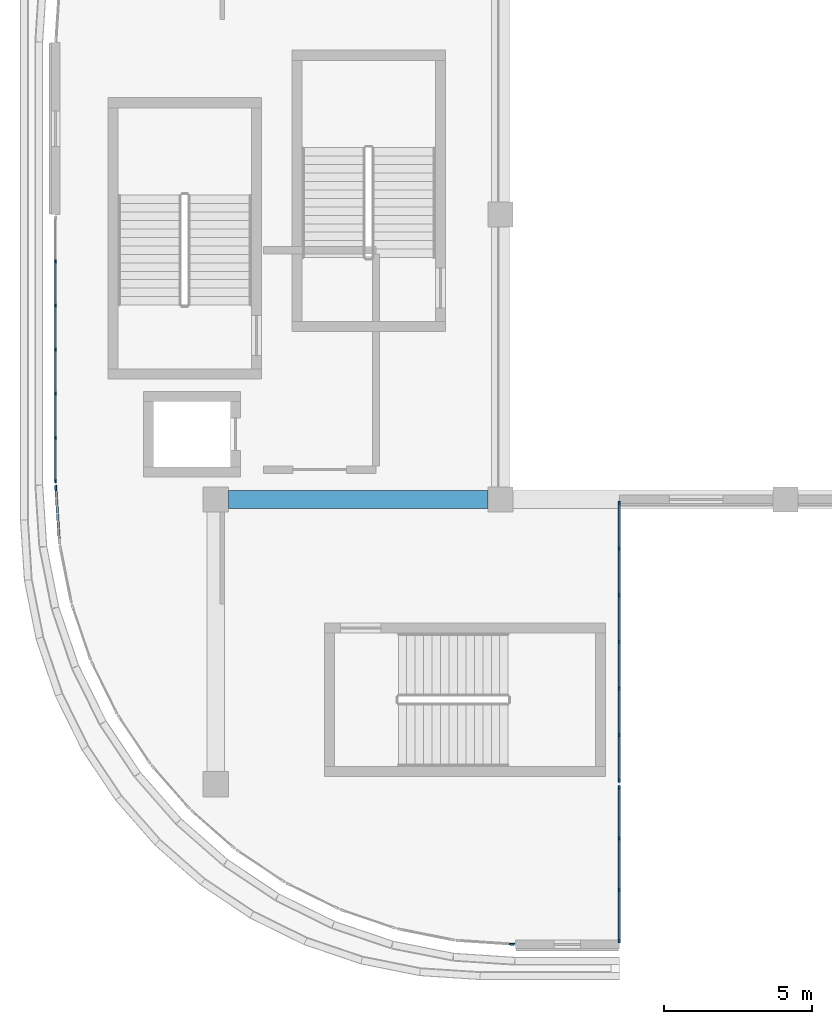
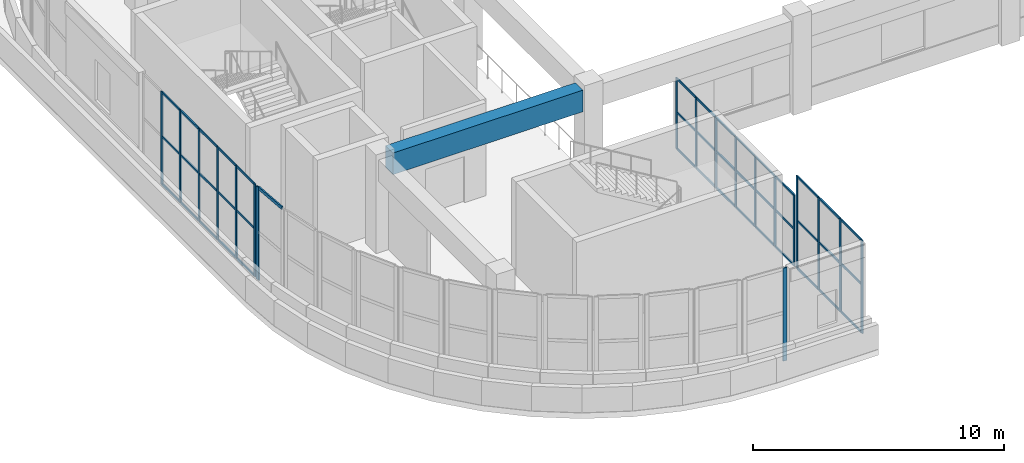
# One storey, part 3 of 67: 62 members, 1 beam, 5 elements without a shape of their own.
"""IFC4 building model written with IfcOpenShell, lengths in metres."""

import ifcopenshell
import ifcopenshell.guid

model = None  # the IFC model being written
_history = None  # IfcOwnerHistory: only IFC2X3 demands one
_inside = {}  # id of a spatial element -> (the spatial element, [elements in it])
_under = {}  # id of a project, library or spatial element -> (it, [spatial elements below it])
_declared = {}  # id of a project -> (the project, [libraries it declares])
_typed = {}  # id of a type object -> (the type object, [elements of that type])
_made_of = {}  # id of a material, layer set ... -> (it, [elements and type objects made of it])


def new_model(schema):
    """Start an empty IFC model of exactly this schema.

    Asked for "IFC4X3", IfcOpenShell would pick the latest addendum, in which some entities
    have other attributes; the version numbers below select the first issue.
    IFC2X3 requires an IfcOwnerHistory on every rooted entity: one is made here for all.
    """
    global model, _history
    if schema == "IFC4X3":
        model = ifcopenshell.file(schema_version=(4, 3, 0, 0))
    else:
        model = ifcopenshell.file(schema=schema)
    _inside.clear()
    _under.clear()
    _declared.clear()
    _typed.clear()
    _made_of.clear()
    _history = None
    if model.schema == "IFC2X3":
        org = make("IfcOrganization", Name="unknown")
        user = make(
            "IfcPersonAndOrganization",
            ThePerson=make("IfcPerson", FamilyName="unknown"),
            TheOrganization=org,
        )
        app = make(
            "IfcApplication",
            ApplicationDeveloper=org,
            Version="unknown",
            ApplicationFullName="unknown",
            ApplicationIdentifier="unknown",
        )
        _history = make(
            "IfcOwnerHistory",
            OwningUser=user,
            OwningApplication=app,
            ChangeAction="ADDED",
            CreationDate=0,
        )
    return model


def make(cls, **values):
    """One entity of the class cls with the attributes given. An attribute that is None is left unset."""
    return model.create_entity(
        cls, **{name: value for name, value in values.items() if value is not None}
    )


def rooted(cls, **values):
    """An entity with a GlobalId (a new one), such as an element, a storey or a relation."""
    return make(cls, GlobalId=ifcopenshell.guid.new(), OwnerHistory=_history, **values)


def si_unit(unit_type, name, prefix=None):
    """IfcSIUnit, for example si_unit("LENGTHUNIT", "METRE", prefix="MILLI")."""
    return make("IfcSIUnit", UnitType=unit_type, Prefix=prefix, Name=name)


def assignment(units):
    """IfcUnitAssignment: the units of a project."""
    return None if units is None else make("IfcUnitAssignment", Units=units)


def point(xyz):
    """IfcCartesianPoint."""
    return None if xyz is None else make("IfcCartesianPoint", Coordinates=xyz)


def direction(xyz):
    """IfcDirection."""
    return None if xyz is None else make("IfcDirection", DirectionRatios=xyz)


def frame(location, z_axis=None, x_axis=None):
    """IfcAxis2Placement3D, a coordinate frame: its origin and axes. An axis left out is left unset."""
    return make(
        "IfcAxis2Placement3D",
        Location=point(location),
        Axis=direction(z_axis),
        RefDirection=direction(x_axis),
    )


def frame_2d(location, x_axis=None):
    """IfcAxis2Placement2D, a coordinate frame in the plane: its origin and x axis."""
    return make(
        "IfcAxis2Placement2D", Location=point(location), RefDirection=direction(x_axis)
    )


def origin():
    """The frame at (0, 0, 0) with its axes left unset."""
    return frame((0.0, 0.0, 0.0))


def origin_2d():
    """The frame at (0, 0) in the plane with its x axis left unset."""
    return frame_2d((0.0, 0.0))


def place(relative_to, where):
    """IfcLocalPlacement: puts the frame where relative to a parent placement (None: the world)."""
    return make(
        "IfcLocalPlacement", PlacementRelTo=relative_to, RelativePlacement=where
    )


def context(
    kind, dimensions, precision=None, world=None, true_north=None, identifier=None
):
    """IfcGeometricRepresentationContext, for example the 3D "Model" context."""
    return make(
        "IfcGeometricRepresentationContext",
        ContextIdentifier=identifier,
        ContextType=kind,
        CoordinateSpaceDimension=dimensions,
        Precision=precision,
        WorldCoordinateSystem=world,
        TrueNorth=true_north,
    )


def subcontext(parent, identifier, kind, view, scale=None):
    """IfcGeometricRepresentationSubContext, for example "Body" below "Model"."""
    return make(
        "IfcGeometricRepresentationSubContext",
        ContextIdentifier=identifier,
        ContextType=kind,
        ParentContext=parent,
        TargetScale=scale,
        TargetView=view,
    )


def project(units=None, contexts=None):
    """IfcProject with its units and contexts."""
    return rooted(
        "IfcProject",
        Name="project",
        RepresentationContexts=contexts,
        UnitsInContext=assignment(units),
    )


def spatial(cls, under=None, at=None, **own):
    """A site, building, storey or space (cls), placed at a placement, below another one or the project."""
    s = rooted(cls, ObjectPlacement=at, **own)
    if under is not None:
        _under.setdefault(under.id(), (under, []))[1].append(s)
    return s


def profile(cls, at=None, kind="AREA", **sizes):
    """A parametric profile (cls). Its sizes go by their IFC names, for example OverallWidth=200.0."""
    return make(cls, ProfileType=kind, Position=at, **sizes)


def rectangle(**sizes):
    """IfcRectangleProfileDef."""
    return profile("IfcRectangleProfileDef", **sizes)


def extrude(swept, where, along, depth):
    """IfcExtrudedAreaSolid: the profile swept, set in the frame where, extruded along a direction by depth."""
    return make(
        "IfcExtrudedAreaSolid",
        SweptArea=swept,
        Position=where,
        ExtrudedDirection=direction(along),
        Depth=depth,
    )


def shape(context_of_items, identifier, shape_type, items):
    """IfcShapeRepresentation: the items that make up one representation, for example the "Body"."""
    return make(
        "IfcShapeRepresentation",
        ContextOfItems=context_of_items,
        RepresentationIdentifier=identifier,
        RepresentationType=shape_type,
        Items=items,
    )


def material(Name=None, Category=None):
    """IfcMaterial."""
    return make("IfcMaterial", Name=Name, Category=Category)


def layer(
    of_material, thickness, ventilated=None, Name=None, Category=None, Priority=None
):
    """IfcMaterialLayer: one layer of a wall or slab, of a material (None: an air gap)."""
    return make(
        "IfcMaterialLayer",
        Material=of_material,
        LayerThickness=thickness,
        IsVentilated=ventilated,
        Name=Name,
        Category=Category,
        Priority=Priority,
    )


def layer_set(layers, Name=None):
    """IfcMaterialLayerSet."""
    return make("IfcMaterialLayerSet", MaterialLayers=layers, LayerSetName=Name)


def material_profile(
    of_material, cross_section, Name=None, Category=None, Priority=None
):
    """IfcMaterialProfile: a cross section and its material."""
    return make(
        "IfcMaterialProfile",
        Name=Name,
        Material=of_material,
        Profile=cross_section,
        Priority=Priority,
        Category=Category,
    )


def profile_set(profiles, Name=None, composite=None):
    """IfcMaterialProfileSet."""
    return make(
        "IfcMaterialProfileSet",
        Name=Name,
        MaterialProfiles=profiles,
        CompositeProfile=composite,
    )


def made_of(thing, what):
    """Note that an element or type object is made of a material, layer set ...; save() writes the relation."""
    if what is not None:
        _made_of.setdefault(what.id(), (what, []))[1].append(thing)
    return thing


def type_object(cls, material=None, **own):
    """A type object (cls), such as IfcWallType, which elements share."""
    return made_of(rooted(cls, **own), material)


def element(
    cls,
    number,
    at=None,
    inside=None,
    cuts=None,
    type_object=None,
    material=None,
    context=None,
    identifier="Body",
    shape_type=None,
    held_by="IfcProductDefinitionShape",
    body=None,
    shapes=None,
    **own,
):
    """One element of the class cls, such as IfcWall. Its Tag is "e" and its number.

    at: its placement. inside: the storey or other place that contains it. cuts: it is an
    opening in that element (IfcRelVoidsElement). A single representation is given by context,
    identifier, shape_type and body (its items); several are given by shapes. held_by: the class
    of the entity that holds the representations. save() writes the other relations.
    """
    e = rooted(cls, Tag="e%d" % number, ObjectPlacement=at, **own)
    if body is not None:
        shapes = [shape(context, identifier, shape_type, body)]
    if shapes is not None:
        e.Representation = make(held_by, Representations=shapes)
    if inside is not None:
        _inside.setdefault(inside.id(), (inside, []))[1].append(e)
    if cuts is not None:
        rooted(
            "IfcRelVoidsElement", RelatingBuildingElement=cuts, RelatedOpeningElement=e
        )
    if type_object is not None:
        _typed.setdefault(type_object.id(), (type_object, []))[1].append(e)
    return made_of(e, material)


def aggregate(whole, parts):
    """IfcRelAggregates: a whole, such as a stair, and the parts it consists of."""
    return rooted("IfcRelAggregates", RelatingObject=whole, RelatedObjects=parts)


def save(model, path):
    """Write the relations noted so far, then the file.

    IfcRelAggregates (storeys below a building ...), IfcRelContainedInSpatialStructure (elements
    in a storey), IfcRelDefinesByType, IfcRelAssociatesMaterial and IfcRelDeclares: one each for
    every whole, place, type object, material and project.
    """
    for whole, parts in _under.values():
        aggregate(whole, parts)
    for where, things in _inside.values():
        rooted(
            "IfcRelContainedInSpatialStructure",
            RelatedElements=things,
            RelatingStructure=where,
        )
    for kind, things in _typed.values():
        rooted("IfcRelDefinesByType", RelatedObjects=things, RelatingType=kind)
    for what, things in _made_of.values():
        rooted("IfcRelAssociatesMaterial", RelatedObjects=things, RelatingMaterial=what)
    for by, libraries in _declared.values():
        rooted("IfcRelDeclares", RelatingContext=by, RelatedDefinitions=libraries)
    model.write(path)


model = new_model("IFC4")

# Units and contexts
model_context = context("Model", 3, precision=1e-05, world=origin(), true_north=direction((0.0, 1.0)))
body_context = subcontext(model_context, "Body", "Model", "MODEL_VIEW")
ifc_project = project(units=[si_unit("LENGTHUNIT", "METRE"), si_unit("AREAUNIT", "SQUARE_METRE"), si_unit("VOLUMEUNIT", "CUBIC_METRE"), si_unit("PLANEANGLEUNIT", "RADIAN"), si_unit("MASSUNIT", "GRAM", prefix="KILO")], contexts=[model_context])

# Site, building, storey
site_placement = place(None, origin())
site = spatial("IfcSite", under=ifc_project, at=site_placement, CompositionType="ELEMENT")
building_placement = place(site_placement, origin())
building = spatial("IfcBuilding", under=site, at=building_placement, Name="Cendralis Terraced Arcade", CompositionType="ELEMENT")
storey_placement = place(building_placement, frame((0.0, 0.0, 15.0)))
storey = spatial("IfcBuildingStorey", under=building, at=storey_placement, Name="L03", CompositionType="ELEMENT", Elevation=15.0)

# Beam
ifc_material_1 = material(Name="Concrete f'c 35 MPa", Category="concrete")
ifc_material_profile_1 = material_profile(ifc_material_1, rectangle(XDim=0.60009765625, YDim=1.050048828125, at=origin_2d()), Name="RC-BM-600x1050", Category="LoadBearing")
ifc_profile_set_1 = profile_set([ifc_material_profile_1], Name="Concrete f'c 35 MPa")
beam_type = type_object("IfcBeamType", Name="BM-600x1050", PredefinedType="JOIST", material=ifc_profile_set_1)
beam_placement = place(storey_placement, frame((10.02490234375, 19.199951171875, 3.9951171875), z_axis=(1.0, 0.0, 0.0), x_axis=(0.0, 1.0, 0.0)))
element("IfcBeam", 1, at=beam_placement, inside=storey, type_object=beam_type, Name="Reinforced Concrete Frame Beam BM-X-L04-C-2_3", PredefinedType="JOIST", context=body_context, shape_type="SweptSolid", body=[
    extrude(rectangle(XDim=0.60009765625, YDim=1.050048828125, at=origin_2d()), origin(), (0.0, 0.0, 1.0), 8.75),
])

# Curtain wall, members
ifc_material_2 = material(Name="Anodised aluminium EN AW-6063 T6", Category="aluminium")
ifc_layer_1 = layer(ifc_material_2, 0.1201171875, Name="CW-STORE-B")
ifc_layer_set_1 = layer_set([ifc_layer_1], Name="Anodised aluminium EN AW-6063 T6")
curtain_wall_type_1 = type_object("IfcCurtainWallType", Name="CW-STORE-B", PredefinedType="USERDEFINED", material=ifc_layer_set_1)
curtain_wall_1_placement = place(storey_placement, origin())
curtain_wall_1 = element("IfcCurtainWall", 2, at=curtain_wall_1_placement, inside=storey, type_object=curtain_wall_type_1, Name="Exterior Storefront Glazing CW-L03-0283", ObjectType="STOREFRONT GLAZING", PredefinedType="USERDEFINED")
ifc_material_profile_2 = material_profile(ifc_material_2, rectangle(XDim=0.054931640625, YDim=0.1201171875, at=origin_2d()), Name="ALU-MUL-55x120")
ifc_profile_set_2 = profile_set([ifc_material_profile_2], Name="Anodised aluminium EN AW-6063 T6")
member_type_1 = type_object("IfcMemberType", Name="CW-STORE-B-MUL", PredefinedType="MULLION", material=ifc_profile_set_2)
member_1_placement = place(storey_placement, frame((23.199951171875, 19.08251953125, 0.0), z_axis=(0.0, 0.0, 1.0), x_axis=(1.0, 0.0, 0.0)))
member_1 = element("IfcMember", 3, at=member_1_placement, type_object=member_type_1, Name="CW-S2 mullion 1", PredefinedType="MULLION", context=body_context, shape_type="SweptSolid", body=[
    extrude(rectangle(XDim=0.054931640625, YDim=0.1201171875, at=origin_2d()), origin(), (0.0, 0.0, 1.0), 3.4599609375),
])
member_2_placement = place(storey_placement, frame((23.199951171875, 17.5400390625, 0.0), z_axis=(0.0, 0.0, 1.0), x_axis=(1.0, 0.0, 0.0)))
member_2 = element("IfcMember", 4, at=member_2_placement, type_object=member_type_1, Name="CW-S2 mullion 2", PredefinedType="MULLION", context=body_context, shape_type="SweptSolid", body=[
    extrude(rectangle(XDim=0.054931640625, YDim=0.1201171875, at=origin_2d()), origin(), (0.0, 0.0, 1.0), 3.4599609375),
])
member_3_placement = place(storey_placement, frame((23.199951171875, 15.969970703125, 0.0), z_axis=(0.0, 0.0, 1.0), x_axis=(1.0, 0.0, 0.0)))
member_3 = element("IfcMember", 5, at=member_3_placement, type_object=member_type_1, Name="CW-S2 mullion 3", PredefinedType="MULLION", context=body_context, shape_type="SweptSolid", body=[
    extrude(rectangle(XDim=0.054931640625, YDim=0.1201171875, at=origin_2d()), origin(), (0.0, 0.0, 1.0), 3.4599609375),
])
member_4_placement = place(storey_placement, frame((23.199951171875, 14.39990234375, 0.0), z_axis=(0.0, 0.0, 1.0), x_axis=(1.0, 0.0, 0.0)))
member_4 = element("IfcMember", 6, at=member_4_placement, type_object=member_type_1, Name="CW-S2 mullion 4", PredefinedType="MULLION", context=body_context, shape_type="SweptSolid", body=[
    extrude(rectangle(XDim=0.054931640625, YDim=0.1201171875, at=origin_2d()), origin(), (0.0, 0.0, 1.0), 3.4599609375),
])
member_5_placement = place(storey_placement, frame((23.199951171875, 12.830078125, 0.0), z_axis=(0.0, 0.0, 1.0), x_axis=(1.0, 0.0, 0.0)))
member_5 = element("IfcMember", 7, at=member_5_placement, type_object=member_type_1, Name="CW-S2 mullion 5", PredefinedType="MULLION", context=body_context, shape_type="SweptSolid", body=[
    extrude(rectangle(XDim=0.054931640625, YDim=0.1201171875, at=origin_2d()), origin(), (0.0, 0.0, 1.0), 3.4599609375),
])
member_6_placement = place(storey_placement, frame((23.199951171875, 11.260009765625, 0.0), z_axis=(0.0, 0.0, 1.0), x_axis=(1.0, 0.0, 0.0)))
member_6 = element("IfcMember", 8, at=member_6_placement, type_object=member_type_1, Name="CW-S2 mullion 6", PredefinedType="MULLION", context=body_context, shape_type="SweptSolid", body=[
    extrude(rectangle(XDim=0.054931640625, YDim=0.1201171875, at=origin_2d()), origin(), (0.0, 0.0, 1.0), 3.4599609375),
])
member_7_placement = place(storey_placement, frame((23.199951171875, 9.717529296875, 0.0), z_axis=(0.0, 0.0, 1.0), x_axis=(1.0, 0.0, 0.0)))
member_7 = element("IfcMember", 9, at=member_7_placement, type_object=member_type_1, Name="CW-S2 mullion 7", PredefinedType="MULLION", context=body_context, shape_type="SweptSolid", body=[
    extrude(rectangle(XDim=0.054931640625, YDim=0.1201171875, at=origin_2d()), origin(), (0.0, 0.0, 1.0), 3.4599609375),
])

curtain_wall_2_placement = place(storey_placement, origin())
curtain_wall_2 = element("IfcCurtainWall", 10, at=curtain_wall_2_placement, inside=storey, type_object=curtain_wall_type_1, Name="Exterior Storefront Glazing CW-L03-0284", ObjectType="STOREFRONT GLAZING", PredefinedType="USERDEFINED")
member_8_placement = place(storey_placement, frame((23.199951171875, 9.482421875, 0.0), z_axis=(0.0, 0.0, 1.0), x_axis=(1.0, 0.0, 0.0)))
member_8 = element("IfcMember", 11, at=member_8_placement, type_object=member_type_1, Name="CW-S2 mullion 1", PredefinedType="MULLION", context=body_context, shape_type="SweptSolid", body=[
    extrude(rectangle(XDim=0.054931640625, YDim=0.1201171875, at=origin_2d()), origin(), (0.0, 0.0, 1.0), 4.52001953125),
])
member_9_placement = place(storey_placement, frame((23.199951171875, 7.77001953125, 0.0), z_axis=(0.0, 0.0, 1.0), x_axis=(1.0, 0.0, 0.0)))
member_9 = element("IfcMember", 12, at=member_9_placement, type_object=member_type_1, Name="CW-S2 mullion 2", PredefinedType="MULLION", context=body_context, shape_type="SweptSolid", body=[
    extrude(rectangle(XDim=0.054931640625, YDim=0.1201171875, at=origin_2d()), origin(), (0.0, 0.0, 1.0), 4.52001953125),
])
member_10_placement = place(storey_placement, frame((23.199951171875, 6.030029296875, 0.0), z_axis=(0.0, 0.0, 1.0), x_axis=(1.0, 0.0, 0.0)))
member_10 = element("IfcMember", 13, at=member_10_placement, type_object=member_type_1, Name="CW-S2 mullion 3", PredefinedType="MULLION", context=body_context, shape_type="SweptSolid", body=[
    extrude(rectangle(XDim=0.054931640625, YDim=0.1201171875, at=origin_2d()), origin(), (0.0, 0.0, 1.0), 4.52001953125),
])
member_11_placement = place(storey_placement, frame((23.199951171875, 4.3173828125, 0.0), z_axis=(0.0, 0.0, 1.0), x_axis=(1.0, 0.0, 0.0)))
member_11 = element("IfcMember", 14, at=member_11_placement, type_object=member_type_1, Name="CW-S2 mullion 4", PredefinedType="MULLION", context=body_context, shape_type="SweptSolid", body=[
    extrude(rectangle(XDim=0.054931640625, YDim=0.1201171875, at=origin_2d()), origin(), (0.0, 0.0, 1.0), 4.52001953125),
])

curtain_wall_3_placement = place(storey_placement, origin())
curtain_wall_3 = element("IfcCurtainWall", 15, at=curtain_wall_3_placement, inside=storey, type_object=curtain_wall_type_1, Name="Exterior Storefront Glazing CW-L03-0297", ObjectType="STOREFRONT GLAZING", PredefinedType="USERDEFINED")
member_12_placement = place(storey_placement, frame((4.199951171875, 19.8173828125, 0.0), z_axis=(0.0, 0.0, 1.0), x_axis=(-1.0, 0.0, 0.0)))
member_12 = element("IfcMember", 16, at=member_12_placement, type_object=member_type_1, Name="CW-S2 mullion 1", PredefinedType="MULLION", context=body_context, shape_type="SweptSolid", body=[
    extrude(rectangle(XDim=0.054931640625, YDim=0.1201171875, at=origin_2d()), origin(), (0.0, 0.0, 1.0), 4.52001953125),
])
member_13_placement = place(storey_placement, frame((4.199951171875, 21.276611328125, 0.0), z_axis=(0.0, 0.0, 1.0), x_axis=(-1.0, 0.0, 0.0)))
member_13 = element("IfcMember", 17, at=member_13_placement, type_object=member_type_1, Name="CW-S2 mullion 2", PredefinedType="MULLION", context=body_context, shape_type="SweptSolid", body=[
    extrude(rectangle(XDim=0.054931640625, YDim=0.1201171875, at=origin_2d()), origin(), (0.0, 0.0, 1.0), 4.52001953125),
])
member_14_placement = place(storey_placement, frame((4.199951171875, 22.763427734375, 0.0), z_axis=(0.0, 0.0, 1.0), x_axis=(-1.0, 0.0, 0.0)))
member_14 = element("IfcMember", 18, at=member_14_placement, type_object=member_type_1, Name="CW-S2 mullion 3", PredefinedType="MULLION", context=body_context, shape_type="SweptSolid", body=[
    extrude(rectangle(XDim=0.054931640625, YDim=0.1201171875, at=origin_2d()), origin(), (0.0, 0.0, 1.0), 4.52001953125),
])
member_15_placement = place(storey_placement, frame((4.199951171875, 24.25, 0.0), z_axis=(0.0, 0.0, 1.0), x_axis=(-1.0, 0.0, 0.0)))
member_15 = element("IfcMember", 19, at=member_15_placement, type_object=member_type_1, Name="CW-S2 mullion 4", PredefinedType="MULLION", context=body_context, shape_type="SweptSolid", body=[
    extrude(rectangle(XDim=0.054931640625, YDim=0.1201171875, at=origin_2d()), origin(), (0.0, 0.0, 1.0), 4.52001953125),
])
member_16_placement = place(storey_placement, frame((4.199951171875, 25.736572265625, 0.0), z_axis=(0.0, 0.0, 1.0), x_axis=(-1.0, 0.0, 0.0)))
member_16 = element("IfcMember", 20, at=member_16_placement, type_object=member_type_1, Name="CW-S2 mullion 5", PredefinedType="MULLION", context=body_context, shape_type="SweptSolid", body=[
    extrude(rectangle(XDim=0.054931640625, YDim=0.1201171875, at=origin_2d()), origin(), (0.0, 0.0, 1.0), 4.52001953125),
])
member_17_placement = place(storey_placement, frame((4.199951171875, 27.223388671875, 0.0), z_axis=(0.0, 0.0, 1.0), x_axis=(-1.0, 0.0, 0.0)))
member_17 = element("IfcMember", 21, at=member_17_placement, type_object=member_type_1, Name="CW-S2 mullion 6", PredefinedType="MULLION", context=body_context, shape_type="SweptSolid", body=[
    extrude(rectangle(XDim=0.054931640625, YDim=0.1201171875, at=origin_2d()), origin(), (0.0, 0.0, 1.0), 4.52001953125),
])

# Member
ifc_material_profile_3 = material_profile(ifc_material_2, rectangle(XDim=0.054931640625, YDim=0.10009765625, at=origin_2d()), Name="ALU-TRN-55x100")
ifc_profile_set_3 = profile_set([ifc_material_profile_3], Name="Anodised aluminium EN AW-6063 T6")
member_type_2 = type_object("IfcMemberType", Name="CW-STORE-B-TRN", PredefinedType="USERDEFINED", material=ifc_profile_set_3)
member_18_placement = place(storey_placement, frame((23.199951171875, 19.054931640625, 0.027587890625), z_axis=(0.0, -1.0, 0.0), x_axis=(1.0, 0.0, 0.0)))
member_18 = element("IfcMember", 22, at=member_18_placement, type_object=member_type_2, Name="CW-S2 transom 1.1", ObjectType="TRANSOM", PredefinedType="USERDEFINED", context=body_context, shape_type="SweptSolid", body=[
    extrude(rectangle(XDim=0.054931640625, YDim=0.10009765625, at=origin_2d()), origin(), (0.0, 0.0, 1.0), 1.487548828125),
])

member_19_placement = place(storey_placement, frame((23.199951171875, 19.054931640625, 1.79931640625), z_axis=(0.0, -1.0, 0.0), x_axis=(1.0, 0.0, 0.0)))
member_19 = element("IfcMember", 23, at=member_19_placement, type_object=member_type_2, Name="CW-S2 transom 1.2", ObjectType="TRANSOM", PredefinedType="USERDEFINED", context=body_context, shape_type="SweptSolid", body=[
    extrude(rectangle(XDim=0.054931640625, YDim=0.10009765625, at=origin_2d()), origin(), (0.0, 0.0, 1.0), 1.487548828125),
])

member_20_placement = place(storey_placement, frame((23.199951171875, 19.054931640625, 3.4326171875), z_axis=(0.0, -1.0, 0.0), x_axis=(1.0, 0.0, 0.0)))
member_20 = element("IfcMember", 24, at=member_20_placement, type_object=member_type_2, Name="CW-S2 transom 1.3", ObjectType="TRANSOM", PredefinedType="USERDEFINED", context=body_context, shape_type="SweptSolid", body=[
    extrude(rectangle(XDim=0.054931640625, YDim=0.10009765625, at=origin_2d()), origin(), (0.0, 0.0, 1.0), 1.487548828125),
])

member_21_placement = place(storey_placement, frame((23.199951171875, 17.512451171875, 0.027587890625), z_axis=(0.0, -1.0, 0.0), x_axis=(1.0, 0.0, 0.0)))
member_21 = element("IfcMember", 25, at=member_21_placement, type_object=member_type_2, Name="CW-S2 transom 2.1", ObjectType="TRANSOM", PredefinedType="USERDEFINED", context=body_context, shape_type="SweptSolid", body=[
    extrude(rectangle(XDim=0.054931640625, YDim=0.10009765625, at=origin_2d()), origin(), (0.0, 0.0, 1.0), 1.514892578125),
])

member_22_placement = place(storey_placement, frame((23.199951171875, 17.512451171875, 1.79931640625), z_axis=(0.0, -1.0, 0.0), x_axis=(1.0, 0.0, 0.0)))
member_22 = element("IfcMember", 26, at=member_22_placement, type_object=member_type_2, Name="CW-S2 transom 2.2", ObjectType="TRANSOM", PredefinedType="USERDEFINED", context=body_context, shape_type="SweptSolid", body=[
    extrude(rectangle(XDim=0.054931640625, YDim=0.10009765625, at=origin_2d()), origin(), (0.0, 0.0, 1.0), 1.514892578125),
])

member_23_placement = place(storey_placement, frame((23.199951171875, 17.512451171875, 3.4326171875), z_axis=(0.0, -1.0, 0.0), x_axis=(1.0, 0.0, 0.0)))
member_23 = element("IfcMember", 27, at=member_23_placement, type_object=member_type_2, Name="CW-S2 transom 2.3", ObjectType="TRANSOM", PredefinedType="USERDEFINED", context=body_context, shape_type="SweptSolid", body=[
    extrude(rectangle(XDim=0.054931640625, YDim=0.10009765625, at=origin_2d()), origin(), (0.0, 0.0, 1.0), 1.514892578125),
])

member_24_placement = place(storey_placement, frame((23.199951171875, 15.9423828125, 0.027587890625), z_axis=(0.0, -1.0, 0.0), x_axis=(1.0, 0.0, 0.0)))
member_24 = element("IfcMember", 28, at=member_24_placement, type_object=member_type_2, Name="CW-S2 transom 3.1", ObjectType="TRANSOM", PredefinedType="USERDEFINED", context=body_context, shape_type="SweptSolid", body=[
    extrude(rectangle(XDim=0.054931640625, YDim=0.10009765625, at=origin_2d()), origin(), (0.0, 0.0, 1.0), 1.514892578125),
])

member_25_placement = place(storey_placement, frame((23.199951171875, 15.9423828125, 1.79931640625), z_axis=(0.0, -1.0, 0.0), x_axis=(1.0, 0.0, 0.0)))
member_25 = element("IfcMember", 29, at=member_25_placement, type_object=member_type_2, Name="CW-S2 transom 3.2", ObjectType="TRANSOM", PredefinedType="USERDEFINED", context=body_context, shape_type="SweptSolid", body=[
    extrude(rectangle(XDim=0.054931640625, YDim=0.10009765625, at=origin_2d()), origin(), (0.0, 0.0, 1.0), 1.514892578125),
])

member_26_placement = place(storey_placement, frame((23.199951171875, 15.9423828125, 3.4326171875), z_axis=(0.0, -1.0, 0.0), x_axis=(1.0, 0.0, 0.0)))
member_26 = element("IfcMember", 30, at=member_26_placement, type_object=member_type_2, Name="CW-S2 transom 3.3", ObjectType="TRANSOM", PredefinedType="USERDEFINED", context=body_context, shape_type="SweptSolid", body=[
    extrude(rectangle(XDim=0.054931640625, YDim=0.10009765625, at=origin_2d()), origin(), (0.0, 0.0, 1.0), 1.514892578125),
])

member_27_placement = place(storey_placement, frame((23.199951171875, 14.37255859375, 0.027587890625), z_axis=(0.0, -1.0, 0.0), x_axis=(1.0, 0.0, 0.0)))
member_27 = element("IfcMember", 31, at=member_27_placement, type_object=member_type_2, Name="CW-S2 transom 4.1", ObjectType="TRANSOM", PredefinedType="USERDEFINED", context=body_context, shape_type="SweptSolid", body=[
    extrude(rectangle(XDim=0.054931640625, YDim=0.10009765625, at=origin_2d()), origin(), (0.0, 0.0, 1.0), 1.51513671875),
])

member_28_placement = place(storey_placement, frame((23.199951171875, 14.37255859375, 1.79931640625), z_axis=(0.0, -1.0, 0.0), x_axis=(1.0, 0.0, 0.0)))
member_28 = element("IfcMember", 32, at=member_28_placement, type_object=member_type_2, Name="CW-S2 transom 4.2", ObjectType="TRANSOM", PredefinedType="USERDEFINED", context=body_context, shape_type="SweptSolid", body=[
    extrude(rectangle(XDim=0.054931640625, YDim=0.10009765625, at=origin_2d()), origin(), (0.0, 0.0, 1.0), 1.51513671875),
])

member_29_placement = place(storey_placement, frame((23.199951171875, 14.37255859375, 3.4326171875), z_axis=(0.0, -1.0, 0.0), x_axis=(1.0, 0.0, 0.0)))
member_29 = element("IfcMember", 33, at=member_29_placement, type_object=member_type_2, Name="CW-S2 transom 4.3", ObjectType="TRANSOM", PredefinedType="USERDEFINED", context=body_context, shape_type="SweptSolid", body=[
    extrude(rectangle(XDim=0.054931640625, YDim=0.10009765625, at=origin_2d()), origin(), (0.0, 0.0, 1.0), 1.51513671875),
])

member_30_placement = place(storey_placement, frame((23.199951171875, 12.802490234375, 0.027587890625), z_axis=(0.0, -1.0, 0.0), x_axis=(1.0, 0.0, 0.0)))
member_30 = element("IfcMember", 34, at=member_30_placement, type_object=member_type_2, Name="CW-S2 transom 5.1", ObjectType="TRANSOM", PredefinedType="USERDEFINED", context=body_context, shape_type="SweptSolid", body=[
    extrude(rectangle(XDim=0.054931640625, YDim=0.10009765625, at=origin_2d()), origin(), (0.0, 0.0, 1.0), 1.514892578125),
])

member_31_placement = place(storey_placement, frame((23.199951171875, 12.802490234375, 1.79931640625), z_axis=(0.0, -1.0, 0.0), x_axis=(1.0, 0.0, 0.0)))
member_31 = element("IfcMember", 35, at=member_31_placement, type_object=member_type_2, Name="CW-S2 transom 5.2", ObjectType="TRANSOM", PredefinedType="USERDEFINED", context=body_context, shape_type="SweptSolid", body=[
    extrude(rectangle(XDim=0.054931640625, YDim=0.10009765625, at=origin_2d()), origin(), (0.0, 0.0, 1.0), 1.514892578125),
])

member_32_placement = place(storey_placement, frame((23.199951171875, 12.802490234375, 3.4326171875), z_axis=(0.0, -1.0, 0.0), x_axis=(1.0, 0.0, 0.0)))
member_32 = element("IfcMember", 36, at=member_32_placement, type_object=member_type_2, Name="CW-S2 transom 5.3", ObjectType="TRANSOM", PredefinedType="USERDEFINED", context=body_context, shape_type="SweptSolid", body=[
    extrude(rectangle(XDim=0.054931640625, YDim=0.10009765625, at=origin_2d()), origin(), (0.0, 0.0, 1.0), 1.514892578125),
])

member_33_placement = place(storey_placement, frame((23.199951171875, 11.232421875, 0.027587890625), z_axis=(0.0, -1.0, 0.0), x_axis=(1.0, 0.0, 0.0)))
member_33 = element("IfcMember", 37, at=member_33_placement, type_object=member_type_2, Name="CW-S2 transom 6.1", ObjectType="TRANSOM", PredefinedType="USERDEFINED", context=body_context, shape_type="SweptSolid", body=[
    extrude(rectangle(XDim=0.054931640625, YDim=0.10009765625, at=origin_2d()), origin(), (0.0, 0.0, 1.0), 1.4873046875),
])

member_34_placement = place(storey_placement, frame((23.199951171875, 11.232421875, 1.79931640625), z_axis=(0.0, -1.0, 0.0), x_axis=(1.0, 0.0, 0.0)))
member_34 = element("IfcMember", 38, at=member_34_placement, type_object=member_type_2, Name="CW-S2 transom 6.2", ObjectType="TRANSOM", PredefinedType="USERDEFINED", context=body_context, shape_type="SweptSolid", body=[
    extrude(rectangle(XDim=0.054931640625, YDim=0.10009765625, at=origin_2d()), origin(), (0.0, 0.0, 1.0), 1.4873046875),
])

member_35_placement = place(storey_placement, frame((23.199951171875, 11.232421875, 3.4326171875), z_axis=(0.0, -1.0, 0.0), x_axis=(1.0, 0.0, 0.0)))
member_35 = element("IfcMember", 39, at=member_35_placement, type_object=member_type_2, Name="CW-S2 transom 6.3", ObjectType="TRANSOM", PredefinedType="USERDEFINED", context=body_context, shape_type="SweptSolid", body=[
    extrude(rectangle(XDim=0.054931640625, YDim=0.10009765625, at=origin_2d()), origin(), (0.0, 0.0, 1.0), 1.4873046875),
])

aggregate(curtain_wall_1, [member_1, member_2, member_3, member_4, member_5, member_6, member_7, member_18, member_19, member_20, member_21, member_22, member_23, member_24, member_25, member_26, member_27, member_28, member_29, member_30, member_31, member_32, member_33, member_34, member_35])

member_36_placement = place(storey_placement, frame((23.199951171875, 9.455078125, 0.027587890625), z_axis=(0.0, -1.0, 0.0), x_axis=(1.0, 0.0, 0.0)))
member_36 = element("IfcMember", 40, at=member_36_placement, type_object=member_type_2, Name="CW-S2 transom 1.1", ObjectType="TRANSOM", PredefinedType="USERDEFINED", context=body_context, shape_type="SweptSolid", body=[
    extrude(rectangle(XDim=0.054931640625, YDim=0.10009765625, at=origin_2d()), origin(), (0.0, 0.0, 1.0), 1.657470703125),
])

member_37_placement = place(storey_placement, frame((23.199951171875, 9.455078125, 2.350341796875), z_axis=(0.0, -1.0, 0.0), x_axis=(1.0, 0.0, 0.0)))
member_37 = element("IfcMember", 41, at=member_37_placement, type_object=member_type_2, Name="CW-S2 transom 1.2", ObjectType="TRANSOM", PredefinedType="USERDEFINED", context=body_context, shape_type="SweptSolid", body=[
    extrude(rectangle(XDim=0.054931640625, YDim=0.10009765625, at=origin_2d()), origin(), (0.0, 0.0, 1.0), 1.657470703125),
])

member_38_placement = place(storey_placement, frame((23.199951171875, 9.455078125, 4.492431640625), z_axis=(0.0, -1.0, 0.0), x_axis=(1.0, 0.0, 0.0)))
member_38 = element("IfcMember", 42, at=member_38_placement, type_object=member_type_2, Name="CW-S2 transom 1.3", ObjectType="TRANSOM", PredefinedType="USERDEFINED", context=body_context, shape_type="SweptSolid", body=[
    extrude(rectangle(XDim=0.054931640625, YDim=0.10009765625, at=origin_2d()), origin(), (0.0, 0.0, 1.0), 1.657470703125),
])

member_39_placement = place(storey_placement, frame((23.199951171875, 7.742431640625, 0.027587890625), z_axis=(0.0, -1.0, 0.0), x_axis=(1.0, 0.0, 0.0)))
member_39 = element("IfcMember", 43, at=member_39_placement, type_object=member_type_2, Name="CW-S2 transom 2.1", ObjectType="TRANSOM", PredefinedType="USERDEFINED", context=body_context, shape_type="SweptSolid", body=[
    extrude(rectangle(XDim=0.054931640625, YDim=0.10009765625, at=origin_2d()), origin(), (0.0, 0.0, 1.0), 1.684814453125),
])

member_40_placement = place(storey_placement, frame((23.199951171875, 7.742431640625, 2.350341796875), z_axis=(0.0, -1.0, 0.0), x_axis=(1.0, 0.0, 0.0)))
member_40 = element("IfcMember", 44, at=member_40_placement, type_object=member_type_2, Name="CW-S2 transom 2.2", ObjectType="TRANSOM", PredefinedType="USERDEFINED", context=body_context, shape_type="SweptSolid", body=[
    extrude(rectangle(XDim=0.054931640625, YDim=0.10009765625, at=origin_2d()), origin(), (0.0, 0.0, 1.0), 1.684814453125),
])

member_41_placement = place(storey_placement, frame((23.199951171875, 7.742431640625, 4.492431640625), z_axis=(0.0, -1.0, 0.0), x_axis=(1.0, 0.0, 0.0)))
member_41 = element("IfcMember", 45, at=member_41_placement, type_object=member_type_2, Name="CW-S2 transom 2.3", ObjectType="TRANSOM", PredefinedType="USERDEFINED", context=body_context, shape_type="SweptSolid", body=[
    extrude(rectangle(XDim=0.054931640625, YDim=0.10009765625, at=origin_2d()), origin(), (0.0, 0.0, 1.0), 1.684814453125),
])

member_42_placement = place(storey_placement, frame((23.199951171875, 6.00244140625, 0.027587890625), z_axis=(0.0, -1.0, 0.0), x_axis=(1.0, 0.0, 0.0)))
member_42 = element("IfcMember", 46, at=member_42_placement, type_object=member_type_2, Name="CW-S2 transom 3.1", ObjectType="TRANSOM", PredefinedType="USERDEFINED", context=body_context, shape_type="SweptSolid", body=[
    extrude(rectangle(XDim=0.054931640625, YDim=0.10009765625, at=origin_2d()), origin(), (0.0, 0.0, 1.0), 1.657470703125),
])

member_43_placement = place(storey_placement, frame((23.199951171875, 6.00244140625, 2.350341796875), z_axis=(0.0, -1.0, 0.0), x_axis=(1.0, 0.0, 0.0)))
member_43 = element("IfcMember", 47, at=member_43_placement, type_object=member_type_2, Name="CW-S2 transom 3.2", ObjectType="TRANSOM", PredefinedType="USERDEFINED", context=body_context, shape_type="SweptSolid", body=[
    extrude(rectangle(XDim=0.054931640625, YDim=0.10009765625, at=origin_2d()), origin(), (0.0, 0.0, 1.0), 1.657470703125),
])

member_44_placement = place(storey_placement, frame((23.199951171875, 6.00244140625, 4.492431640625), z_axis=(0.0, -1.0, 0.0), x_axis=(1.0, 0.0, 0.0)))
member_44 = element("IfcMember", 48, at=member_44_placement, type_object=member_type_2, Name="CW-S2 transom 3.3", ObjectType="TRANSOM", PredefinedType="USERDEFINED", context=body_context, shape_type="SweptSolid", body=[
    extrude(rectangle(XDim=0.054931640625, YDim=0.10009765625, at=origin_2d()), origin(), (0.0, 0.0, 1.0), 1.657470703125),
])

aggregate(curtain_wall_2, [member_8, member_9, member_10, member_11, member_36, member_37, member_38, member_39, member_40, member_41, member_42, member_43, member_44])

member_45_placement = place(storey_placement, frame((4.199951171875, 19.844970703125, 0.027587890625), z_axis=(0.0, 1.0, 0.0), x_axis=(-1.0, 0.0, 0.0)))
member_45 = element("IfcMember", 49, at=member_45_placement, type_object=member_type_2, Name="CW-S2 transom 1.1", ObjectType="TRANSOM", PredefinedType="USERDEFINED", context=body_context, shape_type="SweptSolid", body=[
    extrude(rectangle(XDim=0.054931640625, YDim=0.10009765625, at=origin_2d()), origin(), (0.0, 0.0, 1.0), 1.404296875),
])

member_46_placement = place(storey_placement, frame((4.199951171875, 19.844970703125, 2.350341796875), z_axis=(0.0, 1.0, 0.0), x_axis=(-1.0, 0.0, 0.0)))
member_46 = element("IfcMember", 50, at=member_46_placement, type_object=member_type_2, Name="CW-S2 transom 1.2", ObjectType="TRANSOM", PredefinedType="USERDEFINED", context=body_context, shape_type="SweptSolid", body=[
    extrude(rectangle(XDim=0.054931640625, YDim=0.10009765625, at=origin_2d()), origin(), (0.0, 0.0, 1.0), 1.404296875),
])

member_47_placement = place(storey_placement, frame((4.199951171875, 19.844970703125, 4.492431640625), z_axis=(0.0, 1.0, 0.0), x_axis=(-1.0, 0.0, 0.0)))
member_47 = element("IfcMember", 51, at=member_47_placement, type_object=member_type_2, Name="CW-S2 transom 1.3", ObjectType="TRANSOM", PredefinedType="USERDEFINED", context=body_context, shape_type="SweptSolid", body=[
    extrude(rectangle(XDim=0.054931640625, YDim=0.10009765625, at=origin_2d()), origin(), (0.0, 0.0, 1.0), 1.404296875),
])

member_48_placement = place(storey_placement, frame((4.199951171875, 21.30419921875, 0.027587890625), z_axis=(0.0, 1.0, 0.0), x_axis=(-1.0, 0.0, 0.0)))
member_48 = element("IfcMember", 52, at=member_48_placement, type_object=member_type_2, Name="CW-S2 transom 2.1", ObjectType="TRANSOM", PredefinedType="USERDEFINED", context=body_context, shape_type="SweptSolid", body=[
    extrude(rectangle(XDim=0.054931640625, YDim=0.10009765625, at=origin_2d()), origin(), (0.0, 0.0, 1.0), 1.431640625),
])

member_49_placement = place(storey_placement, frame((4.199951171875, 21.30419921875, 2.350341796875), z_axis=(0.0, 1.0, 0.0), x_axis=(-1.0, 0.0, 0.0)))
member_49 = element("IfcMember", 53, at=member_49_placement, type_object=member_type_2, Name="CW-S2 transom 2.2", ObjectType="TRANSOM", PredefinedType="USERDEFINED", context=body_context, shape_type="SweptSolid", body=[
    extrude(rectangle(XDim=0.054931640625, YDim=0.10009765625, at=origin_2d()), origin(), (0.0, 0.0, 1.0), 1.431640625),
])

member_50_placement = place(storey_placement, frame((4.199951171875, 21.30419921875, 4.492431640625), z_axis=(0.0, 1.0, 0.0), x_axis=(-1.0, 0.0, 0.0)))
member_50 = element("IfcMember", 54, at=member_50_placement, type_object=member_type_2, Name="CW-S2 transom 2.3", ObjectType="TRANSOM", PredefinedType="USERDEFINED", context=body_context, shape_type="SweptSolid", body=[
    extrude(rectangle(XDim=0.054931640625, YDim=0.10009765625, at=origin_2d()), origin(), (0.0, 0.0, 1.0), 1.431640625),
])

member_51_placement = place(storey_placement, frame((4.199951171875, 22.790771484375, 0.027587890625), z_axis=(0.0, 1.0, 0.0), x_axis=(-1.0, 0.0, 0.0)))
member_51 = element("IfcMember", 55, at=member_51_placement, type_object=member_type_2, Name="CW-S2 transom 3.1", ObjectType="TRANSOM", PredefinedType="USERDEFINED", context=body_context, shape_type="SweptSolid", body=[
    extrude(rectangle(XDim=0.054931640625, YDim=0.10009765625, at=origin_2d()), origin(), (0.0, 0.0, 1.0), 1.431640625),
])

member_52_placement = place(storey_placement, frame((4.199951171875, 22.790771484375, 2.350341796875), z_axis=(0.0, 1.0, 0.0), x_axis=(-1.0, 0.0, 0.0)))
member_52 = element("IfcMember", 56, at=member_52_placement, type_object=member_type_2, Name="CW-S2 transom 3.2", ObjectType="TRANSOM", PredefinedType="USERDEFINED", context=body_context, shape_type="SweptSolid", body=[
    extrude(rectangle(XDim=0.054931640625, YDim=0.10009765625, at=origin_2d()), origin(), (0.0, 0.0, 1.0), 1.431640625),
])

member_53_placement = place(storey_placement, frame((4.199951171875, 22.790771484375, 4.492431640625), z_axis=(0.0, 1.0, 0.0), x_axis=(-1.0, 0.0, 0.0)))
member_53 = element("IfcMember", 57, at=member_53_placement, type_object=member_type_2, Name="CW-S2 transom 3.3", ObjectType="TRANSOM", PredefinedType="USERDEFINED", context=body_context, shape_type="SweptSolid", body=[
    extrude(rectangle(XDim=0.054931640625, YDim=0.10009765625, at=origin_2d()), origin(), (0.0, 0.0, 1.0), 1.431640625),
])

member_54_placement = place(storey_placement, frame((4.199951171875, 24.277587890625, 0.027587890625), z_axis=(0.0, 1.0, 0.0), x_axis=(-1.0, 0.0, 0.0)))
member_54 = element("IfcMember", 58, at=member_54_placement, type_object=member_type_2, Name="CW-S2 transom 4.1", ObjectType="TRANSOM", PredefinedType="USERDEFINED", context=body_context, shape_type="SweptSolid", body=[
    extrude(rectangle(XDim=0.054931640625, YDim=0.10009765625, at=origin_2d()), origin(), (0.0, 0.0, 1.0), 1.431640625),
])

member_55_placement = place(storey_placement, frame((4.199951171875, 24.277587890625, 2.350341796875), z_axis=(0.0, 1.0, 0.0), x_axis=(-1.0, 0.0, 0.0)))
member_55 = element("IfcMember", 59, at=member_55_placement, type_object=member_type_2, Name="CW-S2 transom 4.2", ObjectType="TRANSOM", PredefinedType="USERDEFINED", context=body_context, shape_type="SweptSolid", body=[
    extrude(rectangle(XDim=0.054931640625, YDim=0.10009765625, at=origin_2d()), origin(), (0.0, 0.0, 1.0), 1.431640625),
])

member_56_placement = place(storey_placement, frame((4.199951171875, 24.277587890625, 4.492431640625), z_axis=(0.0, 1.0, 0.0), x_axis=(-1.0, 0.0, 0.0)))
member_56 = element("IfcMember", 60, at=member_56_placement, type_object=member_type_2, Name="CW-S2 transom 4.3", ObjectType="TRANSOM", PredefinedType="USERDEFINED", context=body_context, shape_type="SweptSolid", body=[
    extrude(rectangle(XDim=0.054931640625, YDim=0.10009765625, at=origin_2d()), origin(), (0.0, 0.0, 1.0), 1.431640625),
])

member_57_placement = place(storey_placement, frame((4.199951171875, 25.76416015625, 0.027587890625), z_axis=(0.0, 1.0, 0.0), x_axis=(-1.0, 0.0, 0.0)))
member_57 = element("IfcMember", 61, at=member_57_placement, type_object=member_type_2, Name="CW-S2 transom 5.1", ObjectType="TRANSOM", PredefinedType="USERDEFINED", context=body_context, shape_type="SweptSolid", body=[
    extrude(rectangle(XDim=0.054931640625, YDim=0.10009765625, at=origin_2d()), origin(), (0.0, 0.0, 1.0), 1.431640625),
])

member_58_placement = place(storey_placement, frame((4.199951171875, 25.76416015625, 2.350341796875), z_axis=(0.0, 1.0, 0.0), x_axis=(-1.0, 0.0, 0.0)))
member_58 = element("IfcMember", 62, at=member_58_placement, type_object=member_type_2, Name="CW-S2 transom 5.2", ObjectType="TRANSOM", PredefinedType="USERDEFINED", context=body_context, shape_type="SweptSolid", body=[
    extrude(rectangle(XDim=0.054931640625, YDim=0.10009765625, at=origin_2d()), origin(), (0.0, 0.0, 1.0), 1.431640625),
])

member_59_placement = place(storey_placement, frame((4.199951171875, 25.76416015625, 4.492431640625), z_axis=(0.0, 1.0, 0.0), x_axis=(-1.0, 0.0, 0.0)))
member_59 = element("IfcMember", 63, at=member_59_placement, type_object=member_type_2, Name="CW-S2 transom 5.3", ObjectType="TRANSOM", PredefinedType="USERDEFINED", context=body_context, shape_type="SweptSolid", body=[
    extrude(rectangle(XDim=0.054931640625, YDim=0.10009765625, at=origin_2d()), origin(), (0.0, 0.0, 1.0), 1.431640625),
])

aggregate(curtain_wall_3, [member_12, member_13, member_14, member_15, member_16, member_17, member_45, member_46, member_47, member_48, member_49, member_50, member_51, member_52, member_53, member_54, member_55, member_56, member_57, member_58, member_59])

# Curtain wall, member
ifc_layer_2 = layer(ifc_material_2, 0.179931640625, Name="CW-UNIT-A")
ifc_layer_set_2 = layer_set([ifc_layer_2], Name="Anodised aluminium EN AW-6063 T6")
curtain_wall_type_2 = type_object("IfcCurtainWallType", Name="CW-UNIT-A", PredefinedType="USERDEFINED", material=ifc_layer_set_2)
curtain_wall_4_placement = place(storey_placement, origin())
curtain_wall_4 = element("IfcCurtainWall", 64, at=curtain_wall_4_placement, inside=storey, type_object=curtain_wall_type_2, Name="Exterior Unitised Facade CW-L03-0285", ObjectType="UNITISED FACADE", PredefinedType="USERDEFINED")
ifc_material_profile_4 = material_profile(ifc_material_2, rectangle(XDim=0.06494140625, YDim=0.179931640625, at=origin_2d()), Name="ALU-MUL-65x180")
ifc_profile_set_4 = profile_set([ifc_material_profile_4], Name="Anodised aluminium EN AW-6063 T6")
member_type_3 = type_object("IfcMemberType", Name="CW-UNIT-A-MUL", PredefinedType="MULLION", material=ifc_profile_set_4)
member_60_placement = place(storey_placement, frame((19.577880859375, 4.2080078125, 0.0), z_axis=(0.0, 0.0, 1.0), x_axis=(-0.065383766124, -0.997860192175, 0.0)))
member_60 = element("IfcMember", 65, at=member_60_placement, type_object=member_type_3, Name="CW-U1 mullion 1", PredefinedType="MULLION", context=body_context, shape_type="SweptSolid", body=[
    extrude(rectangle(XDim=0.06494140625, YDim=0.179931640625, at=origin_2d()), origin(), (0.0, 0.0, 1.0), 4.52001953125),
])
aggregate(curtain_wall_4, [member_60])

# Curtain wall, members
curtain_wall_5_placement = place(storey_placement, origin())
curtain_wall_5 = element("IfcCurtainWall", 66, at=curtain_wall_5_placement, inside=storey, type_object=curtain_wall_type_2, Name="Exterior Unitised Facade CW-L03-0296", ObjectType="UNITISED FACADE", PredefinedType="USERDEFINED")
member_61_placement = place(storey_placement, frame((4.2080078125, 19.577880859375, 0.0), z_axis=(0.0, 0.0, 1.0), x_axis=(-0.997860192175, -0.065383766124, 0.0)))
member_61 = element("IfcMember", 67, at=member_61_placement, type_object=member_type_3, Name="CW-U1 mullion 2", PredefinedType="MULLION", context=body_context, shape_type="SweptSolid", body=[
    extrude(rectangle(XDim=0.06494140625, YDim=0.179931640625, at=origin_2d()), origin(), (0.0, 0.0, 1.0), 4.52001953125),
])
ifc_material_profile_5 = material_profile(ifc_material_2, rectangle(XDim=0.06494140625, YDim=0.14990234375, at=origin_2d()), Name="ALU-TRN-65x150")
ifc_profile_set_5 = profile_set([ifc_material_profile_5], Name="Anodised aluminium EN AW-6063 T6")
member_type_4 = type_object("IfcMemberType", Name="CW-UNIT-A-TRN", PredefinedType="USERDEFINED", material=ifc_profile_set_5)
member_62_placement = place(storey_placement, frame((4.322509765625, 17.83154296875, 4.487548828125), z_axis=(-0.065386837014, 0.997859990953, 0.0), x_axis=(-0.997859990953, -0.065386837014, 0.0)))
member_62 = element("IfcMember", 68, at=member_62_placement, type_object=member_type_4, Name="CW-U1 transom 1.3", ObjectType="TRANSOM", PredefinedType="USERDEFINED", context=body_context, shape_type="SweptSolid", body=[
    extrude(rectangle(XDim=0.06494140625, YDim=0.14990234375, at=origin_2d()), origin(), (0.0, 0.0, 1.0), 1.717529296875),
])
aggregate(curtain_wall_5, [member_61, member_62])

save(model, "model.ifc")
